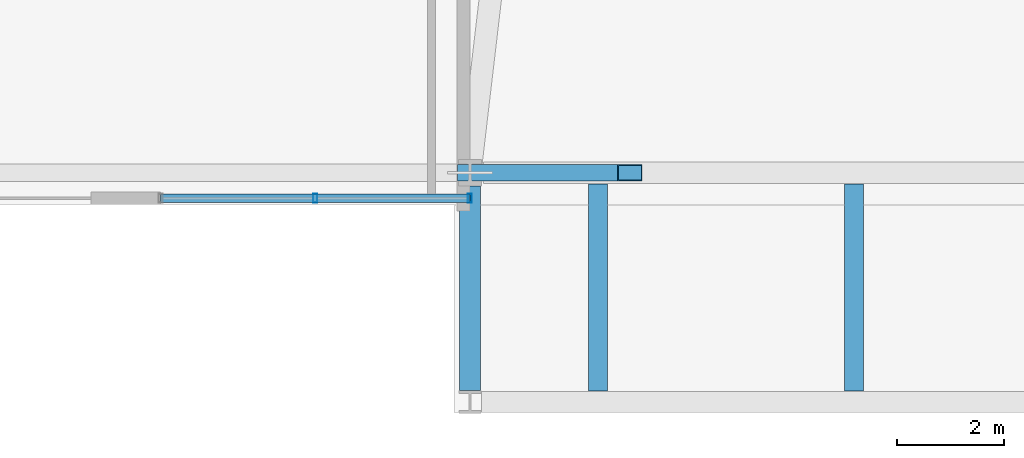
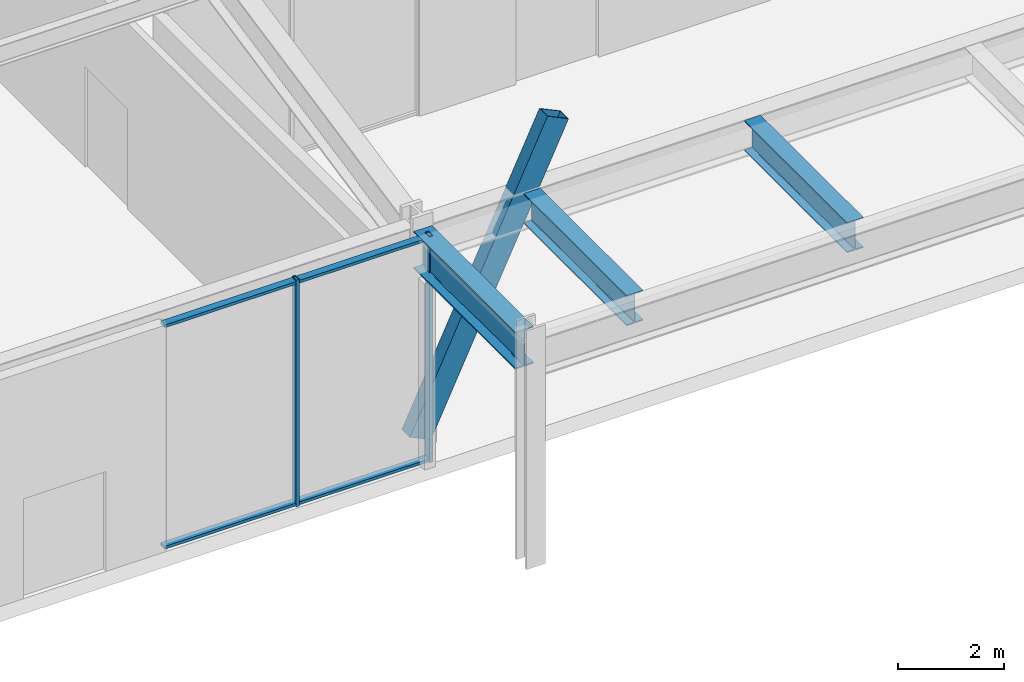
# One storey, part 4 of 24: 5 members, 3 beams, 1 element without a shape of its own.
"""IFC4 building model written with IfcOpenShell, lengths in metres."""

import ifcopenshell
import ifcopenshell.guid

model = None  # the IFC model being written
_history = None  # IfcOwnerHistory: only IFC2X3 demands one
_inside = {}  # id of a spatial element -> (the spatial element, [elements in it])
_under = {}  # id of a project, library or spatial element -> (it, [spatial elements below it])
_declared = {}  # id of a project -> (the project, [libraries it declares])
_typed = {}  # id of a type object -> (the type object, [elements of that type])
_made_of = {}  # id of a material, layer set ... -> (it, [elements and type objects made of it])


def new_model(schema):
    """Start an empty IFC model of exactly this schema.

    Asked for "IFC4X3", IfcOpenShell would pick the latest addendum, in which some entities
    have other attributes; the version numbers below select the first issue.
    IFC2X3 requires an IfcOwnerHistory on every rooted entity: one is made here for all.
    """
    global model, _history
    if schema == "IFC4X3":
        model = ifcopenshell.file(schema_version=(4, 3, 0, 0))
    else:
        model = ifcopenshell.file(schema=schema)
    _inside.clear()
    _under.clear()
    _declared.clear()
    _typed.clear()
    _made_of.clear()
    _history = None
    if model.schema == "IFC2X3":
        org = make("IfcOrganization", Name="unknown")
        user = make(
            "IfcPersonAndOrganization",
            ThePerson=make("IfcPerson", FamilyName="unknown"),
            TheOrganization=org,
        )
        app = make(
            "IfcApplication",
            ApplicationDeveloper=org,
            Version="unknown",
            ApplicationFullName="unknown",
            ApplicationIdentifier="unknown",
        )
        _history = make(
            "IfcOwnerHistory",
            OwningUser=user,
            OwningApplication=app,
            ChangeAction="ADDED",
            CreationDate=0,
        )
    return model


def make(cls, **values):
    """One entity of the class cls with the attributes given. An attribute that is None is left unset."""
    return model.create_entity(
        cls, **{name: value for name, value in values.items() if value is not None}
    )


def rooted(cls, **values):
    """An entity with a GlobalId (a new one), such as an element, a storey or a relation."""
    return make(cls, GlobalId=ifcopenshell.guid.new(), OwnerHistory=_history, **values)


def si_unit(unit_type, name, prefix=None):
    """IfcSIUnit, for example si_unit("LENGTHUNIT", "METRE", prefix="MILLI")."""
    return make("IfcSIUnit", UnitType=unit_type, Prefix=prefix, Name=name)


def assignment(units):
    """IfcUnitAssignment: the units of a project."""
    return None if units is None else make("IfcUnitAssignment", Units=units)


def point(xyz):
    """IfcCartesianPoint."""
    return None if xyz is None else make("IfcCartesianPoint", Coordinates=xyz)


def direction(xyz):
    """IfcDirection."""
    return None if xyz is None else make("IfcDirection", DirectionRatios=xyz)


def frame(location, z_axis=None, x_axis=None):
    """IfcAxis2Placement3D, a coordinate frame: its origin and axes. An axis left out is left unset."""
    return make(
        "IfcAxis2Placement3D",
        Location=point(location),
        Axis=direction(z_axis),
        RefDirection=direction(x_axis),
    )


def frame_2d(location, x_axis=None):
    """IfcAxis2Placement2D, a coordinate frame in the plane: its origin and x axis."""
    return make(
        "IfcAxis2Placement2D", Location=point(location), RefDirection=direction(x_axis)
    )


def origin():
    """The frame at (0, 0, 0) with its axes left unset."""
    return frame((0.0, 0.0, 0.0))


def origin_2d():
    """The frame at (0, 0) in the plane with its x axis left unset."""
    return frame_2d((0.0, 0.0))


def place(relative_to, where):
    """IfcLocalPlacement: puts the frame where relative to a parent placement (None: the world)."""
    return make(
        "IfcLocalPlacement", PlacementRelTo=relative_to, RelativePlacement=where
    )


def context(
    kind, dimensions, precision=None, world=None, true_north=None, identifier=None
):
    """IfcGeometricRepresentationContext, for example the 3D "Model" context."""
    return make(
        "IfcGeometricRepresentationContext",
        ContextIdentifier=identifier,
        ContextType=kind,
        CoordinateSpaceDimension=dimensions,
        Precision=precision,
        WorldCoordinateSystem=world,
        TrueNorth=true_north,
    )


def subcontext(parent, identifier, kind, view, scale=None):
    """IfcGeometricRepresentationSubContext, for example "Body" below "Model"."""
    return make(
        "IfcGeometricRepresentationSubContext",
        ContextIdentifier=identifier,
        ContextType=kind,
        ParentContext=parent,
        TargetScale=scale,
        TargetView=view,
    )


def project(units=None, contexts=None):
    """IfcProject with its units and contexts."""
    return rooted(
        "IfcProject",
        Name="project",
        RepresentationContexts=contexts,
        UnitsInContext=assignment(units),
    )


def spatial(cls, under=None, at=None, **own):
    """A site, building, storey or space (cls), placed at a placement, below another one or the project."""
    s = rooted(cls, ObjectPlacement=at, **own)
    if under is not None:
        _under.setdefault(under.id(), (under, []))[1].append(s)
    return s


def profile(cls, at=None, kind="AREA", **sizes):
    """A parametric profile (cls). Its sizes go by their IFC names, for example OverallWidth=200.0."""
    return make(cls, ProfileType=kind, Position=at, **sizes)


def hollow_rectangle(**sizes):
    """IfcRectangleHollowProfileDef."""
    return profile("IfcRectangleHollowProfileDef", **sizes)


def i_section(**sizes):
    """IfcIShapeProfileDef."""
    return profile("IfcIShapeProfileDef", **sizes)


def extrude(swept, where, along, depth):
    """IfcExtrudedAreaSolid: the profile swept, set in the frame where, extruded along a direction by depth."""
    return make(
        "IfcExtrudedAreaSolid",
        SweptArea=swept,
        Position=where,
        ExtrudedDirection=direction(along),
        Depth=depth,
    )


def shape(context_of_items, identifier, shape_type, items):
    """IfcShapeRepresentation: the items that make up one representation, for example the "Body"."""
    return make(
        "IfcShapeRepresentation",
        ContextOfItems=context_of_items,
        RepresentationIdentifier=identifier,
        RepresentationType=shape_type,
        Items=items,
    )


def material(Name=None, Category=None):
    """IfcMaterial."""
    return make("IfcMaterial", Name=Name, Category=Category)


def material_profile(
    of_material, cross_section, Name=None, Category=None, Priority=None
):
    """IfcMaterialProfile: a cross section and its material."""
    return make(
        "IfcMaterialProfile",
        Name=Name,
        Material=of_material,
        Profile=cross_section,
        Priority=Priority,
        Category=Category,
    )


def profile_set(profiles, Name=None, composite=None):
    """IfcMaterialProfileSet."""
    return make(
        "IfcMaterialProfileSet",
        Name=Name,
        MaterialProfiles=profiles,
        CompositeProfile=composite,
    )


def made_of(thing, what):
    """Note that an element or type object is made of a material, layer set ...; save() writes the relation."""
    if what is not None:
        _made_of.setdefault(what.id(), (what, []))[1].append(thing)
    return thing


def type_object(cls, material=None, **own):
    """A type object (cls), such as IfcWallType, which elements share."""
    return made_of(rooted(cls, **own), material)


def element(
    cls,
    number,
    at=None,
    inside=None,
    cuts=None,
    type_object=None,
    material=None,
    context=None,
    identifier="Body",
    shape_type=None,
    held_by="IfcProductDefinitionShape",
    body=None,
    shapes=None,
    **own,
):
    """One element of the class cls, such as IfcWall. Its Tag is "e" and its number.

    at: its placement. inside: the storey or other place that contains it. cuts: it is an
    opening in that element (IfcRelVoidsElement). A single representation is given by context,
    identifier, shape_type and body (its items); several are given by shapes. held_by: the class
    of the entity that holds the representations. save() writes the other relations.
    """
    e = rooted(cls, Tag="e%d" % number, ObjectPlacement=at, **own)
    if body is not None:
        shapes = [shape(context, identifier, shape_type, body)]
    if shapes is not None:
        e.Representation = make(held_by, Representations=shapes)
    if inside is not None:
        _inside.setdefault(inside.id(), (inside, []))[1].append(e)
    if cuts is not None:
        rooted(
            "IfcRelVoidsElement", RelatingBuildingElement=cuts, RelatedOpeningElement=e
        )
    if type_object is not None:
        _typed.setdefault(type_object.id(), (type_object, []))[1].append(e)
    return made_of(e, material)


def aggregate(whole, parts):
    """IfcRelAggregates: a whole, such as a stair, and the parts it consists of."""
    return rooted("IfcRelAggregates", RelatingObject=whole, RelatedObjects=parts)


def save(model, path):
    """Write the relations noted so far, then the file.

    IfcRelAggregates (storeys below a building ...), IfcRelContainedInSpatialStructure (elements
    in a storey), IfcRelDefinesByType, IfcRelAssociatesMaterial and IfcRelDeclares: one each for
    every whole, place, type object, material and project.
    """
    for whole, parts in _under.values():
        aggregate(whole, parts)
    for where, things in _inside.values():
        rooted(
            "IfcRelContainedInSpatialStructure",
            RelatedElements=things,
            RelatingStructure=where,
        )
    for kind, things in _typed.values():
        rooted("IfcRelDefinesByType", RelatedObjects=things, RelatingType=kind)
    for what, things in _made_of.values():
        rooted("IfcRelAssociatesMaterial", RelatedObjects=things, RelatingMaterial=what)
    for by, libraries in _declared.values():
        rooted("IfcRelDeclares", RelatingContext=by, RelatedDefinitions=libraries)
    model.write(path)


model = new_model("IFC4")

# Units and contexts
model_context = context("Model", 3, precision=1e-05, world=origin(), true_north=direction((0.0, 1.0)))
body_context = subcontext(model_context, "Body", "Model", "MODEL_VIEW")
ifc_project = project(units=[si_unit("LENGTHUNIT", "METRE"), si_unit("AREAUNIT", "SQUARE_METRE"), si_unit("VOLUMEUNIT", "CUBIC_METRE"), si_unit("PLANEANGLEUNIT", "RADIAN"), si_unit("MASSUNIT", "GRAM", prefix="KILO")], contexts=[model_context])

# Site, building, storey
site_placement = place(None, origin())
site = spatial("IfcSite", under=ifc_project, at=site_placement, CompositionType="ELEMENT")
building_placement = place(site_placement, origin())
building = spatial("IfcBuilding", under=site, at=building_placement, Name="Kolvaren Belvedere", CompositionType="ELEMENT")
storey_placement = place(building_placement, origin())
storey = spatial("IfcBuildingStorey", under=building, at=storey_placement, Name="L01", CompositionType="ELEMENT", Elevation=0.0)

# Beams
ifc_material_1 = material(Name="Structural steel ASTM A992 Grade 50", Category="steel")
ifc_material_profile_1 = material_profile(ifc_material_1, i_section(OverallWidth=0.35498046875, OverallDepth=0.696044921875, WebThickness=0.015380859375, FlangeThickness=0.02490234375, FilletRadius=0.02197265625, at=origin_2d()), Name="W27X146")
ifc_profile_set_1 = profile_set([ifc_material_profile_1], Name="Structural steel ASTM A992 Grade 50")
beam_type_1 = type_object("IfcBeamType", Name="BM-GIRD-W27X146", PredefinedType="BEAM", material=ifc_profile_set_1)
for number, where, z_axis, x_axis, name in (
    (1, (-9.60009765625, -28.010009765625, 4.85205078125), (0.0, -1.0, 0.0), (1.0, 0.0, 0.0), "Portal Canopy Secondary Rib 1"),
    (2, (-4.800048828125, -28.010009765625, 4.85205078125), (0.0, -1.0, 0.0), (1.0, 0.0, 0.0), "Portal Canopy Secondary Rib 2"),
):
    element("IfcBeam", number, at=place(storey_placement, frame(where, z_axis=z_axis, x_axis=x_axis)), inside=storey, type_object=beam_type_1, Name=name, PredefinedType="BEAM", context=body_context, shape_type="SweptSolid", body=[
        extrude(i_section(OverallWidth=0.35498046875, OverallDepth=0.696044921875, WebThickness=0.015380859375, FlangeThickness=0.02490234375, FilletRadius=0.02197265625, at=origin_2d()), origin(), (0.0, 0.0, 1.0), 3.8798828125),
    ])
ifc_material_2 = material(Name="Structural steel ASTM A992 Grade 50", Category="steel")
ifc_material_profile_2 = material_profile(ifc_material_2, i_section(OverallWidth=0.39990234375, OverallDepth=0.85595703125, WebThickness=0.018310546875, FlangeThickness=0.029296875, FilletRadius=0.02490234375, at=origin_2d()), Name="W33X201")
ifc_profile_set_2 = profile_set([ifc_material_profile_2], Name="Structural steel ASTM A992 Grade 50")
beam_type_2 = type_object("IfcBeamType", Name="BM-GIRD-W33X201", PredefinedType="BEAM", material=ifc_profile_set_2)
beam_placement = place(storey_placement, frame((-12.0, -28.050048828125, 4.77197265625), z_axis=(0.0, -1.0, 0.0), x_axis=(1.0, 0.0, 0.0)))
element("IfcBeam", 3, at=beam_placement, inside=storey, type_object=beam_type_2, Name="Portal Canopy Side Girder W", PredefinedType="BEAM", context=body_context, shape_type="SweptSolid", body=[
    extrude(i_section(OverallWidth=0.39990234375, OverallDepth=0.85595703125, WebThickness=0.018310546875, FlangeThickness=0.029296875, FilletRadius=0.02490234375, at=origin_2d()), origin(), (0.0, 0.0, 1.0), 3.829833984375),
])

# Curtain wall, members
ifc_material_3 = material(Name="Anodised pale-metal aluminium AA 6063-T6", Category="aluminium")
curtain_wall_type = type_object("IfcCurtainWallType", Name="CW-POD-A", PredefinedType="NOTDEFINED", material=ifc_material_3)
curtain_wall_placement = place(storey_placement, origin())
curtain_wall = element("IfcCurtainWall", 4, at=curtain_wall_placement, inside=storey, type_object=curtain_wall_type, Name="L01 Unitised Curtain Wall FCW-L01-SW1", PredefinedType="NOTDEFINED")
ifc_material_4 = material(Name="Anodised pale-metal aluminium AA 6063-T6", Category="aluminium")
ifc_material_profile_3 = material_profile(ifc_material_4, hollow_rectangle(XDim=0.074951171875, YDim=0.159912109375, WallThickness=0.00439453125, at=origin_2d()), Name="ALU-MUL-160X75")
ifc_profile_set_3 = profile_set([ifc_material_profile_3], Name="Anodised pale-metal aluminium AA 6063-T6")
member_type_1 = type_object("IfcMemberType", Name="CW-MUL-160", PredefinedType="MULLION", material=ifc_profile_set_3)
member_1_placement = place(storey_placement, frame((-12.0, -28.280029296875, 0.0), z_axis=(0.0, 0.0, 1.0), x_axis=(1.0, 0.0, 0.0)))
member_1 = element("IfcMember", 5, at=member_1_placement, type_object=member_type_1, Name="FCW-L01-SW1 Unitised Mullion 1", PredefinedType="MULLION", context=body_context, shape_type="SweptSolid", body=[
    extrude(hollow_rectangle(XDim=0.074951171875, YDim=0.159912109375, WallThickness=0.00439453125, at=origin_2d()), origin(), (0.0, 0.0, 1.0), 5.219970703125),
])
member_2_placement = place(storey_placement, frame((-14.89990234375, -28.280029296875, 0.0), z_axis=(0.0, 0.0, 1.0), x_axis=(1.0, 0.0, 0.0)))
member_2 = element("IfcMember", 6, at=member_2_placement, type_object=member_type_1, Name="FCW-L01-SW1 Unitised Mullion 2", PredefinedType="MULLION", context=body_context, shape_type="SweptSolid", body=[
    extrude(hollow_rectangle(XDim=0.074951171875, YDim=0.159912109375, WallThickness=0.00439453125, at=origin_2d()), origin(), (0.0, 0.0, 1.0), 5.219970703125),
])
ifc_material_5 = material(Name="Anodised pale-metal aluminium AA 6063-T6", Category="aluminium")
ifc_material_profile_4 = material_profile(ifc_material_5, hollow_rectangle(XDim=0.06494140625, YDim=0.159912109375, WallThickness=0.00390625, at=origin_2d()), Name="ALU-TRN-160X65")
ifc_profile_set_4 = profile_set([ifc_material_profile_4], Name="Anodised pale-metal aluminium AA 6063-T6")
member_type_2 = type_object("IfcMemberType", Name="CW-TRN-160", PredefinedType="USERDEFINED", material=ifc_profile_set_4)
member_3_placement = place(storey_placement, frame((-12.0, -28.280029296875, 0.06005859375), z_axis=(-1.0, 0.0, 0.0), x_axis=(0.0, 0.0, 1.0)))
member_3 = element("IfcMember", 7, at=member_3_placement, type_object=member_type_2, Name="FCW-L01-SW1 Sill Transom", ObjectType="TRANSOM", PredefinedType="USERDEFINED", context=body_context, shape_type="SweptSolid", body=[
    extrude(hollow_rectangle(XDim=0.06494140625, YDim=0.159912109375, WallThickness=0.00390625, at=origin_2d()), origin(), (0.0, 0.0, 1.0), 5.800048828125),
])
member_4_placement = place(storey_placement, frame((-12.0, -28.280029296875, 5.159912109375), z_axis=(-1.0, 0.0, 0.0), x_axis=(0.0, 0.0, 1.0)))
member_4 = element("IfcMember", 8, at=member_4_placement, type_object=member_type_2, Name="FCW-L01-SW1 Head Transom", ObjectType="TRANSOM", PredefinedType="USERDEFINED", context=body_context, shape_type="SweptSolid", body=[
    extrude(hollow_rectangle(XDim=0.06494140625, YDim=0.159912109375, WallThickness=0.00390625, at=origin_2d()), origin(), (0.0, 0.0, 1.0), 5.800048828125),
])
aggregate(curtain_wall, [member_1, member_2, member_3, member_4])

# Member
ifc_material_6 = material(Name="Structural steel ASTM A500 Grade C", Category="steel")
ifc_material_profile_5 = material_profile(ifc_material_6, hollow_rectangle(XDim=0.304931640625, YDim=0.508056640625, WallThickness=0.014892578125, at=origin_2d()), Name="HSS20X12X5/8")
ifc_profile_set_5 = profile_set([ifc_material_profile_5], Name="Structural steel ASTM A500 Grade C")
member_type_3 = type_object("IfcMemberType", Name="MB-ARCH-CHORD", PredefinedType="CHORD", material=ifc_profile_set_5)
member_5_placement = place(storey_placement, frame((-12.0, -27.800048828125, 0.300048828125), z_axis=(0.427511970451, 0.0, 0.904009687515), x_axis=(0.0, 1.0, 0.0)))
element("IfcMember", 9, at=member_5_placement, inside=storey, type_object=member_type_3, Name="Giant Portal Arch Rib Chord AC-1", PredefinedType="CHORD", context=body_context, shape_type="SweptSolid", body=[
    extrude(hollow_rectangle(XDim=0.304931640625, YDim=0.508056640625, WallThickness=0.014892578125, at=origin_2d()), origin(), (0.0, 0.0, 1.0), 7.017333984375),
])

save(model, "model.ifc")
